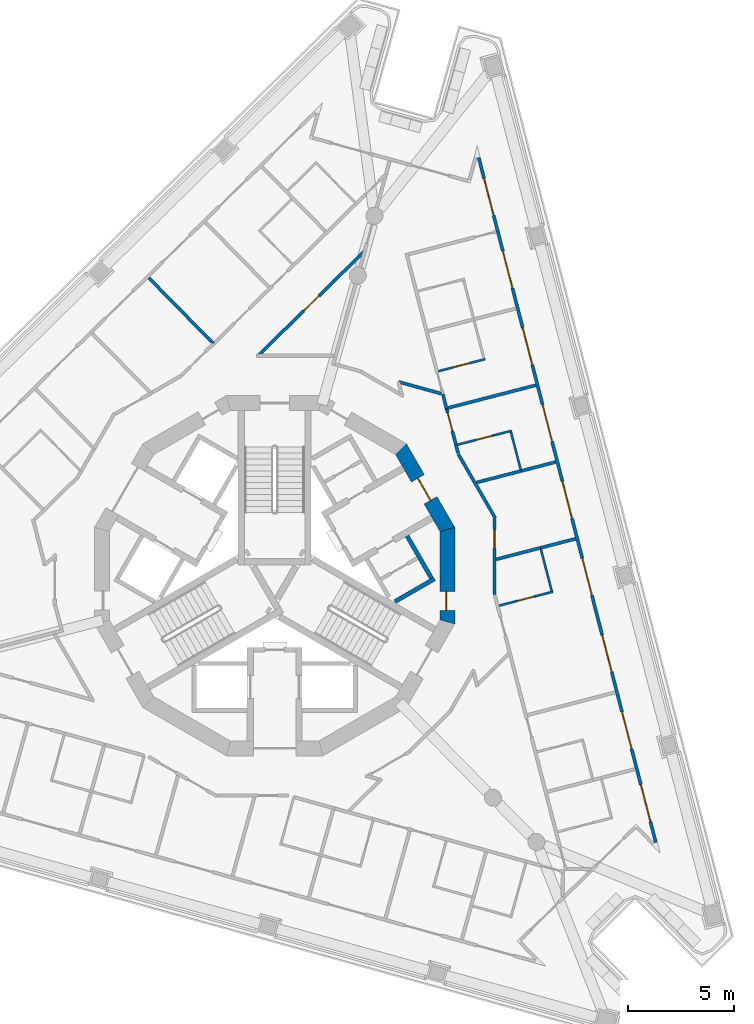
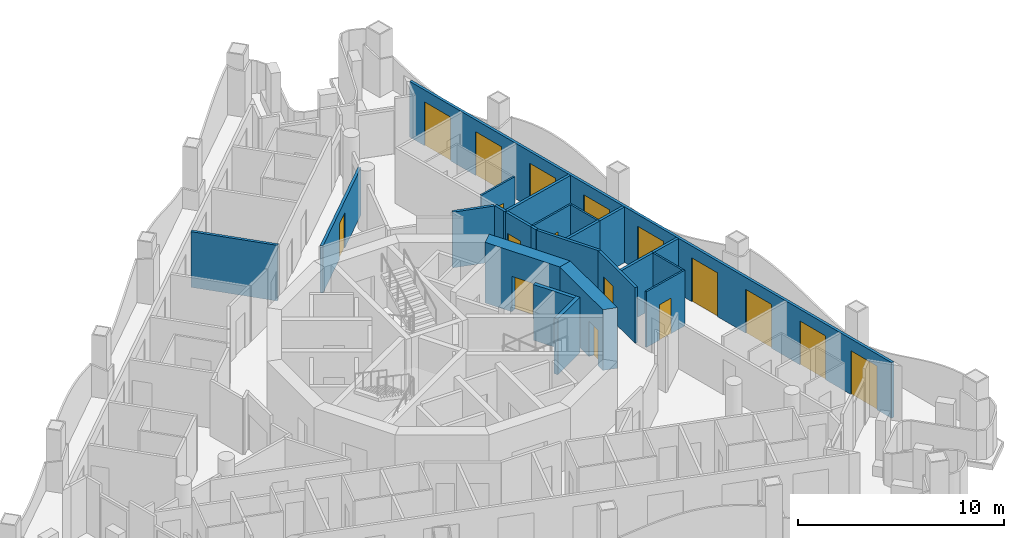
# One storey, part 7 of 15: 23 walls, 17 doors, 17 openings.
"""IFC4 building model written with IfcOpenShell, lengths in metres."""

from ifc_helpers import new_model, si_unit, direction, frame, frame_2d, origin, place, context, subcontext, project, spatial, polyline, rectangle, outline, extrude, material, layer, layer_set, type_object, element, fill, save


model = new_model("IFC4")

# Units and contexts
model_context = context("Model", 3, precision=1e-05, world=origin(), true_north=direction((0.0, 1.0)))
body_context = subcontext(model_context, "Body", "Model", "MODEL_VIEW")
ifc_project = project(units=[si_unit("LENGTHUNIT", "METRE"), si_unit("AREAUNIT", "SQUARE_METRE"), si_unit("VOLUMEUNIT", "CUBIC_METRE"), si_unit("PLANEANGLEUNIT", "RADIAN"), si_unit("MASSUNIT", "GRAM", prefix="KILO")], contexts=[model_context])

# Site, building, storey
site_placement = place(None, origin())
site = spatial("IfcSite", under=ifc_project, at=site_placement, CompositionType="ELEMENT")
building_placement = place(site_placement, origin())
building = spatial("IfcBuilding", under=site, at=building_placement, Name="Trine Commons Tower", CompositionType="ELEMENT")
storey_placement = place(building_placement, frame((0.0, 0.0, 256.5)))
storey = spatial("IfcBuildingStorey", under=building, at=storey_placement, Name="L67", CompositionType="ELEMENT", Elevation=256.5)

# Wall, openings, doors
ifc_material_1 = material(Name="Aluminium-framed insulated wall panel", Category="aluminium")
ifc_layer_1 = layer(ifc_material_1, 0.14990234375)
ifc_layer_set_1 = layer_set([ifc_layer_1], Name="Aluminium-framed insulated wall panel")
wall_type_1 = type_object("IfcWallType", Name="Glazed frame wall 150, EI 60", PredefinedType="SOLIDWALL", material=ifc_layer_set_1)
wall_1_placement = place(storey_placement, frame((89.59130859375, 82.377685546875, 0.0), z_axis=(0.0, 0.0, 1.0), x_axis=(0.250378839788, -0.968147941477, 0.0)))
wall_1 = element("IfcWall", 1, at=wall_1_placement, inside=storey, type_object=wall_type_1, Name="Glazed frame wall F2", PredefinedType="SOLIDWALL", context=body_context, shape_type="SweptSolid", body=[
    extrude(outline(polyline([(0.1494140625, 0.074951171875), (0.1494140625, -0.074951171875), (33.536865234375, -0.074951171875), (33.536865234375, 0.074951171875), (0.1494140625, 0.074951171875)])), origin(), (0.0, 0.0, 1.0), 3.300048828125),
])
opening_1_placement = place(wall_1_placement, frame((1.17138671875, 0.0, 0.0)))
opening_1 = element("IfcOpeningElement", 2, at=opening_1_placement, cuts=wall_1, Name="Opening BD-7F2-01", PredefinedType="OPENING", context=body_context, shape_type="SweptSolid", body=[
    extrude(rectangle(XDim=1.800048828125, YDim=2.60009765625, at=frame_2d((0.89990234375, 1.300048828125))), frame((0.0, 0.0849609375, 0.0), z_axis=(0.0, -1.0, 0.0), x_axis=(1.0, 0.0, 0.0)), (0.0, 0.0, 1.0), 0.169921875),
])
opening_2_placement = place(wall_1_placement, frame((4.71435546875, 0.0, 0.0)))
opening_2 = element("IfcOpeningElement", 3, at=opening_2_placement, cuts=wall_1, Name="Opening BD-7F2-02", PredefinedType="OPENING", context=body_context, shape_type="SweptSolid", body=[
    extrude(rectangle(XDim=1.800048828125, YDim=2.60009765625, at=frame_2d((0.89990234375, 1.300048828125))), frame((0.0, 0.0849609375, 0.0), z_axis=(0.0, -1.0, 0.0), x_axis=(1.0, 0.0, 0.0)), (0.0, 0.0, 1.0), 0.169921875),
])
opening_3_placement = place(wall_1_placement, frame((8.457275390625, 0.0, 0.0)))
opening_3 = element("IfcOpeningElement", 4, at=opening_3_placement, cuts=wall_1, Name="Opening BD-7F2-03", PredefinedType="OPENING", context=body_context, shape_type="SweptSolid", body=[
    extrude(rectangle(XDim=1.800048828125, YDim=2.60009765625, at=frame_2d((0.89990234375, 1.300048828125))), frame((0.0, 0.0849609375, 0.0), z_axis=(0.0, -1.0, 0.0), x_axis=(1.0, 0.0, 0.0)), (0.0, 0.0, 1.0), 0.169921875),
])
opening_4_placement = place(wall_1_placement, frame((12.2001953125, 0.0, 0.0)))
opening_4 = element("IfcOpeningElement", 5, at=opening_4_placement, cuts=wall_1, Name="Opening BD-7F2-04", PredefinedType="OPENING", context=body_context, shape_type="SweptSolid", body=[
    extrude(rectangle(XDim=1.800048828125, YDim=2.60009765625, at=frame_2d((0.89990234375, 1.300048828125))), frame((0.0, 0.0849609375, 0.0), z_axis=(0.0, -1.0, 0.0), x_axis=(1.0, 0.0, 0.0)), (0.0, 0.0, 1.0), 0.169921875),
])
opening_5_placement = place(wall_1_placement, frame((15.943115234375, 0.0, 0.0)))
opening_5 = element("IfcOpeningElement", 6, at=opening_5_placement, cuts=wall_1, Name="Opening BD-7F2-05", PredefinedType="OPENING", context=body_context, shape_type="SweptSolid", body=[
    extrude(rectangle(XDim=1.800048828125, YDim=2.60009765625, at=frame_2d((0.89990234375, 1.300048828125))), frame((0.0, 0.0849609375, 0.0), z_axis=(0.0, -1.0, 0.0), x_axis=(1.0, 0.0, 0.0)), (0.0, 0.0, 1.0), 0.169921875),
])
opening_6_placement = place(wall_1_placement, frame((19.68603515625, 0.0, 0.0)))
opening_6 = element("IfcOpeningElement", 7, at=opening_6_placement, cuts=wall_1, Name="Opening BD-7F2-06", PredefinedType="OPENING", context=body_context, shape_type="SweptSolid", body=[
    extrude(rectangle(XDim=1.800048828125, YDim=2.60009765625, at=frame_2d((0.89990234375, 1.300048828125))), frame((0.0, 0.0849609375, 0.0), z_axis=(0.0, -1.0, 0.0), x_axis=(1.0, 0.0, 0.0)), (0.0, 0.0, 1.0), 0.169921875),
])
opening_7_placement = place(wall_1_placement, frame((23.428955078125, 0.0, 0.0)))
opening_7 = element("IfcOpeningElement", 8, at=opening_7_placement, cuts=wall_1, Name="Opening BD-7F2-07", PredefinedType="OPENING", context=body_context, shape_type="SweptSolid", body=[
    extrude(rectangle(XDim=1.800048828125, YDim=2.60009765625, at=frame_2d((0.89990234375, 1.300048828125))), frame((0.0, 0.0849609375, 0.0), z_axis=(0.0, -1.0, 0.0), x_axis=(1.0, 0.0, 0.0)), (0.0, 0.0, 1.0), 0.169921875),
])
opening_8_placement = place(wall_1_placement, frame((27.171875, 0.0, 0.0)))
opening_8 = element("IfcOpeningElement", 9, at=opening_8_placement, cuts=wall_1, Name="Opening BD-7F2-08", PredefinedType="OPENING", context=body_context, shape_type="SweptSolid", body=[
    extrude(rectangle(XDim=1.800048828125, YDim=2.60009765625, at=frame_2d((0.89990234375, 1.300048828125))), frame((0.0, 0.0849609375, 0.0), z_axis=(0.0, -1.0, 0.0), x_axis=(1.0, 0.0, 0.0)), (0.0, 0.0, 1.0), 0.169921875),
])
opening_9_placement = place(wall_1_placement, frame((30.714599609375, 0.0, 0.0)))
opening_9 = element("IfcOpeningElement", 10, at=opening_9_placement, cuts=wall_1, Name="Opening BD-7F2-09", PredefinedType="OPENING", context=body_context, shape_type="SweptSolid", body=[
    extrude(rectangle(XDim=1.800048828125, YDim=2.60009765625, at=frame_2d((0.89990234375, 1.300048828125))), frame((0.0, 0.0849609375, 0.0), z_axis=(0.0, -1.0, 0.0), x_axis=(1.0, 0.0, 0.0)), (0.0, 0.0, 1.0), 0.169921875),
])
ifc_material_2 = material(Name="Anodised aluminium frame with double glazing", Category="aluminium")
door_type_1 = type_object("IfcDoorType", Name="Sliding loggia door 1800x2600", OperationType="SLIDING_TO_LEFT", PredefinedType="DOOR", material=ifc_material_2)
door_1_placement = place(opening_1_placement, origin())
door_1 = element("IfcDoor", 11, at=door_1_placement, inside=storey, type_object=door_type_1, Name="Loggia door F2 1", OperationType="SLIDING_TO_LEFT", OverallHeight=2.60009765625, OverallWidth=1.800048828125, PredefinedType="DOOR", context=body_context, shape_type="SweptSolid", body=[
    extrude(rectangle(XDim=1.800048828125, YDim=2.60009765625, at=frame_2d((0.89990234375, 1.300048828125))), frame((0.0, 0.02490234375, 0.0), z_axis=(0.0, -1.0, 0.0), x_axis=(1.0, 0.0, 0.0)), (0.0, 0.0, 1.0), 0.050048828125),
])
fill(opening_1, door_1)
door_2_placement = place(opening_2_placement, origin())
door_2 = element("IfcDoor", 12, at=door_2_placement, inside=storey, type_object=door_type_1, Name="Loggia door F2 2", OperationType="SLIDING_TO_LEFT", OverallHeight=2.60009765625, OverallWidth=1.800048828125, PredefinedType="DOOR", context=body_context, shape_type="SweptSolid", body=[
    extrude(rectangle(XDim=1.800048828125, YDim=2.60009765625, at=frame_2d((0.89990234375, 1.300048828125))), frame((0.0, 0.02490234375, 0.0), z_axis=(0.0, -1.0, 0.0), x_axis=(1.0, 0.0, 0.0)), (0.0, 0.0, 1.0), 0.050048828125),
])
fill(opening_2, door_2)
door_3_placement = place(opening_3_placement, origin())
door_3 = element("IfcDoor", 13, at=door_3_placement, inside=storey, type_object=door_type_1, Name="Loggia door F2 3", OperationType="SLIDING_TO_LEFT", OverallHeight=2.60009765625, OverallWidth=1.800048828125, PredefinedType="DOOR", context=body_context, shape_type="SweptSolid", body=[
    extrude(rectangle(XDim=1.800048828125, YDim=2.60009765625, at=frame_2d((0.89990234375, 1.300048828125))), frame((0.0, 0.02490234375, 0.0), z_axis=(0.0, -1.0, 0.0), x_axis=(1.0, 0.0, 0.0)), (0.0, 0.0, 1.0), 0.050048828125),
])
fill(opening_3, door_3)
door_4_placement = place(opening_4_placement, origin())
door_4 = element("IfcDoor", 14, at=door_4_placement, inside=storey, type_object=door_type_1, Name="Loggia door F2 4", OperationType="SLIDING_TO_LEFT", OverallHeight=2.60009765625, OverallWidth=1.800048828125, PredefinedType="DOOR", context=body_context, shape_type="SweptSolid", body=[
    extrude(rectangle(XDim=1.800048828125, YDim=2.60009765625, at=frame_2d((0.89990234375, 1.300048828125))), frame((0.0, 0.02490234375, 0.0), z_axis=(0.0, -1.0, 0.0), x_axis=(1.0, 0.0, 0.0)), (0.0, 0.0, 1.0), 0.050048828125),
])
fill(opening_4, door_4)
door_5_placement = place(opening_5_placement, origin())
door_5 = element("IfcDoor", 15, at=door_5_placement, inside=storey, type_object=door_type_1, Name="Loggia door F2 5", OperationType="SLIDING_TO_LEFT", OverallHeight=2.60009765625, OverallWidth=1.800048828125, PredefinedType="DOOR", context=body_context, shape_type="SweptSolid", body=[
    extrude(rectangle(XDim=1.800048828125, YDim=2.60009765625, at=frame_2d((0.89990234375, 1.300048828125))), frame((0.0, 0.02490234375, 0.0), z_axis=(0.0, -1.0, 0.0), x_axis=(1.0, 0.0, 0.0)), (0.0, 0.0, 1.0), 0.050048828125),
])
fill(opening_5, door_5)
door_6_placement = place(opening_6_placement, origin())
door_6 = element("IfcDoor", 16, at=door_6_placement, inside=storey, type_object=door_type_1, Name="Loggia door F2 6", OperationType="SLIDING_TO_LEFT", OverallHeight=2.60009765625, OverallWidth=1.800048828125, PredefinedType="DOOR", context=body_context, shape_type="SweptSolid", body=[
    extrude(rectangle(XDim=1.800048828125, YDim=2.60009765625, at=frame_2d((0.89990234375, 1.300048828125))), frame((0.0, 0.02490234375, 0.0), z_axis=(0.0, -1.0, 0.0), x_axis=(1.0, 0.0, 0.0)), (0.0, 0.0, 1.0), 0.050048828125),
])
fill(opening_6, door_6)
door_7_placement = place(opening_7_placement, origin())
door_7 = element("IfcDoor", 17, at=door_7_placement, inside=storey, type_object=door_type_1, Name="Loggia door F2 7", OperationType="SLIDING_TO_LEFT", OverallHeight=2.60009765625, OverallWidth=1.800048828125, PredefinedType="DOOR", context=body_context, shape_type="SweptSolid", body=[
    extrude(rectangle(XDim=1.800048828125, YDim=2.60009765625, at=frame_2d((0.89990234375, 1.300048828125))), frame((0.0, 0.02490234375, 0.0), z_axis=(0.0, -1.0, 0.0), x_axis=(1.0, 0.0, 0.0)), (0.0, 0.0, 1.0), 0.050048828125),
])
fill(opening_7, door_7)
door_8_placement = place(opening_8_placement, origin())
door_8 = element("IfcDoor", 18, at=door_8_placement, inside=storey, type_object=door_type_1, Name="Loggia door F2 8", OperationType="SLIDING_TO_LEFT", OverallHeight=2.60009765625, OverallWidth=1.800048828125, PredefinedType="DOOR", context=body_context, shape_type="SweptSolid", body=[
    extrude(rectangle(XDim=1.800048828125, YDim=2.60009765625, at=frame_2d((0.89990234375, 1.300048828125))), frame((0.0, 0.02490234375, 0.0), z_axis=(0.0, -1.0, 0.0), x_axis=(1.0, 0.0, 0.0)), (0.0, 0.0, 1.0), 0.050048828125),
])
fill(opening_8, door_8)
door_9_placement = place(opening_9_placement, origin())
door_9 = element("IfcDoor", 19, at=door_9_placement, inside=storey, type_object=door_type_1, Name="Loggia door F2 9", OperationType="SLIDING_TO_LEFT", OverallHeight=2.60009765625, OverallWidth=1.800048828125, PredefinedType="DOOR", context=body_context, shape_type="SweptSolid", body=[
    extrude(rectangle(XDim=1.800048828125, YDim=2.60009765625, at=frame_2d((0.89990234375, 1.300048828125))), frame((0.0, 0.02490234375, 0.0), z_axis=(0.0, -1.0, 0.0), x_axis=(1.0, 0.0, 0.0)), (0.0, 0.0, 1.0), 0.050048828125),
])
fill(opening_9, door_9)

# Wall, opening, door
ifc_material_3 = material(Name="Concrete C50/60", Category="concrete")
ifc_layer_2 = layer(ifc_material_3, 0.699951171875)
ifc_layer_set_2 = layer_set([ifc_layer_2], Name="Concrete C50/60")
wall_type_2 = type_object("IfcWallType", Name="RC shear wall 700 mm, C50/60", PredefinedType="SHEAR", material=ifc_layer_set_2)
wall_2_placement = place(storey_placement, frame((88.150146484375, 60.222412109375, 0.0), z_axis=(0.0, 0.0, 1.0), x_axis=(0.0, 1.0, 0.0)))
wall_2 = element("IfcWall", 20, at=wall_2_placement, inside=storey, type_object=wall_type_2, Name="Core wall CWG-01 L67", PredefinedType="SHEAR", context=body_context, shape_type="SweptSolid", body=[
    extrude(outline(polyline([(0.0, -0.35009765625), (4.55517578125, -0.35009765625), (4.36767578125, 0.35009765625), (0.1875, 0.35009765625), (0.0, -0.35009765625)])), origin(), (0.0, 0.0, 1.0), 3.60009765625),
])
opening_10_placement = place(wall_2_placement, frame((0.6416015625, 0.0, 0.0)))
opening_10 = element("IfcOpeningElement", 21, at=opening_10_placement, cuts=wall_2, Name="Opening K15.17", PredefinedType="OPENING", context=body_context, shape_type="SweptSolid", body=[
    extrude(rectangle(XDim=0.89990234375, YDim=2.10009765625, at=frame_2d((0.449951171875, 1.050048828125))), frame((0.0, 0.35986328125, 0.0), z_axis=(0.0, -1.0, 0.0), x_axis=(1.0, 0.0, 0.0)), (0.0, 0.0, 1.0), 0.719970703125),
])
ifc_material_4 = material(Name="Steel door leaf, fire-rated", Category="steel")
door_type_2 = type_object("IfcDoorType", Name="Core room door, single leaf 900 x 2100, FD30S", OperationType="SINGLE_SWING_LEFT", PredefinedType="DOOR", material=ifc_material_4)
door_10_placement = place(opening_10_placement, origin())
door_10 = element("IfcDoor", 22, at=door_10_placement, inside=storey, type_object=door_type_2, Name="Door to Core WC L67", OperationType="SINGLE_SWING_LEFT", OverallHeight=2.10009765625, OverallWidth=0.89990234375, PredefinedType="DOOR", context=body_context, shape_type="SweptSolid", body=[
    extrude(rectangle(XDim=0.89990234375, YDim=2.10009765625, at=frame_2d((0.449951171875, 1.050048828125))), frame((0.0, 0.0751953125, 0.0), z_axis=(0.0, -1.0, 0.0), x_axis=(1.0, 0.0, 0.0)), (0.0, 0.0, 1.0), 0.050048828125),
])
fill(opening_10, door_10)

wall_3_placement = place(storey_placement, frame((88.197021484375, 64.6025390625, 0.0), z_axis=(0.0, 0.0, 1.0), x_axis=(-0.499983800959, 0.866034756103, 0.0)))
wall_3 = element("IfcWall", 23, at=wall_3_placement, inside=storey, type_object=wall_type_2, Name="Core wall CWG-02 L67", PredefinedType="SHEAR", context=body_context, shape_type="SweptSolid", body=[
    extrude(outline(polyline([(0.0, -0.35009765625), (4.55517578125, -0.35009765625), (4.36767578125, 0.35009765625), (0.1875, 0.35009765625), (0.0, -0.35009765625)])), origin(), (0.0, 0.0, 1.0), 3.60009765625),
])
opening_11_placement = place(wall_3_placement, frame((1.677490234375, 0.0, 0.0)))
opening_11 = element("IfcOpeningElement", 24, at=opening_11_placement, cuts=wall_3, Name="Opening K15.04", PredefinedType="OPENING", context=body_context, shape_type="SweptSolid", body=[
    extrude(rectangle(XDim=1.199951171875, YDim=2.10009765625, at=frame_2d((0.60009765625, 1.050048828125))), frame((0.0, 0.35986328125, 0.0), z_axis=(0.0, -1.0, 0.0), x_axis=(1.0, 0.0, 0.0)), (0.0, 0.0, 1.0), 0.719970703125),
])
ifc_material_5 = material(Name="Steel door leaves, fire-rated", Category="steel")
door_type_3 = type_object("IfcDoorType", Name="Lobby door, double leaf 1200 x 2100, FD60", OperationType="DOUBLE_DOOR_SINGLE_SWING", PredefinedType="DOOR", material=ifc_material_5)
door_11_placement = place(opening_11_placement, origin())
door_11 = element("IfcDoor", 25, at=door_11_placement, inside=storey, type_object=door_type_3, Name="Lobby door, Core lounge L67", OperationType="DOUBLE_DOOR_SINGLE_SWING", OverallHeight=2.10009765625, OverallWidth=1.199951171875, PredefinedType="DOOR", context=body_context, shape_type="SweptSolid", body=[
    extrude(rectangle(XDim=1.199951171875, YDim=2.10009765625, at=frame_2d((0.60009765625, 1.050048828125))), frame((0.0, 0.02490234375, 0.0), z_axis=(0.0, -1.0, 0.0), x_axis=(1.0, 0.0, 0.0)), (0.0, 0.0, 1.0), 0.050048828125),
])
fill(opening_11, door_11)

# Walls
ifc_material_6 = material(Name="Fire-rated gypsum shaft wall system")
ifc_layer_3 = layer(ifc_material_6, 0.199951171875)
ifc_layer_set_3 = layer_set([ifc_layer_3], Name="Fire-rated gypsum shaft wall system")
wall_type_3 = type_object("IfcWallType", Name="Shaft wall 200 mm, EI 120", PredefinedType="PARTITIONING", material=ifc_layer_set_3)
wall_4_placement = place(storey_placement, frame((85.675048828125, 61.27392578125, 0.0), z_axis=(0.0, 0.0, 1.0), x_axis=(0.866102336459, 0.499866725018, 0.0)))
element("IfcWall", 26, at=wall_4_placement, inside=storey, type_object=wall_type_3, Name="Shaft wall L67", PredefinedType="PARTITIONING", context=body_context, shape_type="SweptSolid", body=[
    extrude(rectangle(XDim=2.1484375, YDim=0.199951171875, at=frame_2d((1.07421875, 0.0))), origin(), (0.0, 0.0, 1.0), 3.300048828125),
])
wall_5_placement = place(storey_placement, frame((86.2490234375, 64.3759765625, 0.0), z_axis=(0.0, 0.0, 1.0), x_axis=(0.500136062276, -0.86594683394, 0.0)))
element("IfcWall", 27, at=wall_5_placement, inside=storey, type_object=wall_type_3, Name="Shaft wall L67", PredefinedType="PARTITIONING", context=body_context, shape_type="SweptSolid", body=[
    extrude(rectangle(XDim=2.299072265625, YDim=0.199951171875, at=frame_2d((1.1494140625, 0.0))), origin(), (0.0, 0.0, 1.0), 3.300048828125),
])
ifc_material_7 = material(Name="Gypsum plasterboard on steel stud", Category="steel")
ifc_layer_4 = layer(ifc_material_7, 0.14990234375)
ifc_layer_set_4 = layer_set([ifc_layer_4], Name="Gypsum plasterboard on steel stud")
wall_type_4 = type_object("IfcWallType", Name="Unit and corridor wall 150 mm, EI 60", PredefinedType="PARTITIONING", material=ifc_layer_set_4)
wall_6_placement = place(storey_placement, frame((74.06005859375, 76.554443359375, 0.0), z_axis=(0.0, 0.0, 1.0), x_axis=(0.700948225768, -0.713212159734, 0.0)))
element("IfcWall", 28, at=wall_6_placement, inside=storey, type_object=wall_type_4, Name="Partition 044", PredefinedType="PARTITIONING", context=body_context, shape_type="SweptSolid", body=[
    extrude(rectangle(XDim=4.359619140625, YDim=0.14990234375, at=frame_2d((2.1796875, 0.0))), origin(), (0.0, 0.0, 1.0), 3.300048828125),
])

# Wall, opening, door
wall_7_placement = place(storey_placement, frame((79.265380859375, 72.927490234375, 0.0), z_axis=(0.0, 0.0, 1.0), x_axis=(0.713171352484, 0.700989744572, 0.0)))
wall_7 = element("IfcWall", 29, at=wall_7_placement, inside=storey, type_object=wall_type_4, Name="Partition 054", PredefinedType="PARTITIONING", context=body_context, shape_type="SweptSolid", body=[
    extrude(rectangle(XDim=6.914306640625, YDim=0.14990234375, at=frame_2d((3.45703125, 0.0))), origin(), (0.0, 0.0, 1.0), 2.800048828125),
])
opening_12_placement = place(wall_7_placement, frame((2.95703125, 0.0, 0.0)))
opening_12 = element("IfcOpeningElement", 30, at=opening_12_placement, cuts=wall_7, Name="Opening D-7C28", PredefinedType="OPENING", context=body_context, shape_type="SweptSolid", body=[
    extrude(rectangle(XDim=1.0, YDim=2.10009765625, at=frame_2d((0.5, 1.050048828125))), frame((0.0, 0.0849609375, 0.0), z_axis=(0.0, -1.0, 0.0), x_axis=(1.0, 0.0, 0.0)), (0.0, 0.0, 1.0), 0.169921875),
])
ifc_material_8 = material(Name="Painted timber", Category="wood")
door_type_4 = type_object("IfcDoorType", Name="Toilet door 1000 x 2100, NOT RATED", OperationType="NOTDEFINED", PredefinedType="DOOR", material=ifc_material_8)
door_12_placement = place(opening_12_placement, frame((1.0, 0.0, 0.0), z_axis=(0.0, 0.0, 1.0), x_axis=(-1.0, 0.0, 0.0)))
door_12 = element("IfcDoor", 31, at=door_12_placement, inside=storey, type_object=door_type_4, Name="Door D-7C28", OperationType="SINGLE_SWING_RIGHT", OverallHeight=2.10009765625, OverallWidth=1.0, PredefinedType="DOOR", context=body_context, shape_type="SweptSolid", body=[
    extrude(rectangle(XDim=1.0, YDim=2.10009765625, at=frame_2d((0.5, 1.050048828125))), frame((0.0, 0.02490234375, 0.0), z_axis=(0.0, -1.0, 0.0), x_axis=(1.0, 0.0, 0.0)), (0.0, 0.0, 1.0), 0.050048828125),
])
fill(opening_12, door_12)

# Walls
wall_8_placement = place(storey_placement, frame((85.85205078125, 71.64599609375, 0.0), z_axis=(0.0, 0.0, 1.0), x_axis=(0.963638385721, -0.267209770713, 0.0)))
element("IfcWall", 32, at=wall_8_placement, inside=storey, type_object=wall_type_4, Name="Partition 080", PredefinedType="PARTITIONING", context=body_context, shape_type="SweptSolid", body=[
    extrude(rectangle(XDim=2.088623046875, YDim=0.14990234375, at=frame_2d((1.04443359375, 0.0))), origin(), (0.0, 0.0, 1.0), 3.300048828125),
])
wall_9_placement = place(storey_placement, frame((87.93798828125, 71.06689453125, 0.0), z_axis=(0.0, 0.0, 1.0), x_axis=(0.250122032582, -0.968214319672, 0.0)))
element("IfcWall", 33, at=wall_9_placement, inside=storey, type_object=wall_type_4, Name="Partition 090", PredefinedType="PARTITIONING", context=body_context, shape_type="SweptSolid", body=[
    extrude(rectangle(XDim=0.696044921875, YDim=0.14990234375, at=frame_2d((0.34814453125, 0.0))), origin(), (0.0, 0.0, 1.0), 3.300048828125),
])
wall_10_placement = place(storey_placement, frame((88.036376953125, 70.377197265625, 0.0), z_axis=(0.0, 0.0, 1.0), x_axis=(0.968128504483, 0.25045398541, 0.0)))
element("IfcWall", 34, at=wall_10_placement, inside=storey, type_object=wall_type_4, Name="Partition 091", PredefinedType="PARTITIONING", context=body_context, shape_type="SweptSolid", body=[
    extrude(rectangle(XDim=4.435302734375, YDim=0.14990234375, at=frame_2d((2.2177734375, 0.0))), origin(), (0.0, 0.0, 1.0), 3.300048828125),
])

# Wall, opening, door
wall_11_placement = place(storey_placement, frame((88.12890625, 70.328369140625, 0.0), z_axis=(0.0, 0.0, 1.0), x_axis=(0.25028953049, -0.968171033923, 0.0)))
wall_11 = element("IfcWall", 35, at=wall_11_placement, inside=storey, type_object=wall_type_4, Name="Partition 092", PredefinedType="PARTITIONING", context=body_context, shape_type="SweptSolid", body=[
    extrude(rectangle(XDim=1.7763671875, YDim=0.14990234375, at=frame_2d((0.88818359375, 0.0))), origin(), (0.0, 0.0, 1.0), 3.300048828125),
])
opening_13_placement = place(wall_11_placement, frame((0.14990234375, 0.0, 0.0)))
opening_13 = element("IfcOpeningElement", 36, at=opening_13_placement, cuts=wall_11, Name="Opening D-7C13", PredefinedType="OPENING", context=body_context, shape_type="SweptSolid", body=[
    extrude(rectangle(XDim=0.89990234375, YDim=2.10009765625, at=frame_2d((0.449951171875, 1.050048828125))), frame((0.0, 0.0849609375, 0.0), z_axis=(0.0, -1.0, 0.0), x_axis=(1.0, 0.0, 0.0)), (0.0, 0.0, 1.0), 0.169921875),
])
ifc_material_9 = material(Name="Timber fire door set", Category="wood")
door_type_5 = type_object("IfcDoorType", Name="Bedroom door 900 x 2100, FD30S", OperationType="NOTDEFINED", PredefinedType="DOOR", material=ifc_material_9)
door_13_placement = place(opening_13_placement, origin())
door_13 = element("IfcDoor", 37, at=door_13_placement, inside=storey, type_object=door_type_5, Name="Door D-7C13", OperationType="SINGLE_SWING_LEFT", OverallHeight=2.10009765625, OverallWidth=0.89990234375, PredefinedType="DOOR", context=body_context, shape_type="SweptSolid", body=[
    extrude(rectangle(XDim=0.89990234375, YDim=2.10009765625, at=frame_2d((0.449951171875, 1.050048828125))), frame((0.0, 0.02490234375, 0.0), z_axis=(0.0, -1.0, 0.0), x_axis=(1.0, 0.0, 0.0)), (0.0, 0.0, 1.0), 0.050048828125),
])
fill(opening_13, door_13)

# Walls
wall_12_placement = place(storey_placement, frame((88.5576171875, 68.670654296875, 0.0), z_axis=(0.0, 0.0, 1.0), x_axis=(0.249564283258, -0.96835823357, 0.0)))
element("IfcWall", 38, at=wall_12_placement, inside=storey, type_object=wall_type_4, Name="Partition 095", PredefinedType="PARTITIONING", context=body_context, shape_type="SweptSolid", body=[
    extrude(rectangle(XDim=0.400146484375, YDim=0.14990234375, at=frame_2d((0.2001953125, 0.0))), origin(), (0.0, 0.0, 1.0), 3.300048828125),
])
wall_13_placement = place(storey_placement, frame((88.659912109375, 68.2490234375, 0.0), z_axis=(0.0, 0.0, 1.0), x_axis=(0.500223035479, -0.865896595891, 0.0)))
element("IfcWall", 39, at=wall_13_placement, inside=storey, type_object=wall_type_4, Name="Partition 096", PredefinedType="PARTITIONING", context=body_context, shape_type="SweptSolid", body=[
    extrude(rectangle(XDim=3.50390625, YDim=0.14990234375, at=frame_2d((1.751953125, 0.0))), origin(), (0.0, 0.0, 1.0), 3.300048828125),
])
wall_14_placement = place(storey_placement, frame((89.525634765625, 66.896728515625, 0.0), z_axis=(0.0, 0.0, 1.0), x_axis=(0.96820093058, 0.250173855596, 0.0)))
element("IfcWall", 40, at=wall_14_placement, inside=storey, type_object=wall_type_4, Name="Partition 105", PredefinedType="PARTITIONING", context=body_context, shape_type="SweptSolid", body=[
    extrude(rectangle(XDim=2.17138671875, YDim=0.14990234375, at=frame_2d((1.085693359375, 0.0))), origin(), (0.0, 0.0, 1.0), 3.300048828125),
])

# Wall, opening, door
wall_15_placement = place(storey_placement, frame((90.375, 61.616943359375, 0.0), z_axis=(0.0, 0.0, 1.0), x_axis=(0.0, 1.0, 0.0)))
wall_15 = element("IfcWall", 41, at=wall_15_placement, inside=storey, type_object=wall_type_4, Name="Partition 107", PredefinedType="PARTITIONING", context=body_context, shape_type="SweptSolid", body=[
    extrude(rectangle(XDim=3.588134765625, YDim=0.14990234375, at=frame_2d((1.7939453125, 0.0))), origin(), (0.0, 0.0, 1.0), 3.300048828125),
])
opening_14_placement = place(wall_15_placement, frame((2.160400390625, 0.0, 0.0)))
opening_14 = element("IfcOpeningElement", 42, at=opening_14_placement, cuts=wall_15, Name="Opening D-7C14", PredefinedType="OPENING", context=body_context, shape_type="SweptSolid", body=[
    extrude(rectangle(XDim=0.89990234375, YDim=2.10009765625, at=frame_2d((0.449951171875, 1.050048828125))), frame((0.0, 0.0849609375, 0.0), z_axis=(0.0, -1.0, 0.0), x_axis=(1.0, 0.0, 0.0)), (0.0, 0.0, 1.0), 0.169921875),
])
door_type_6 = type_object("IfcDoorType", Name="Service door 900 x 2100, FD30S", OperationType="NOTDEFINED", PredefinedType="DOOR", material=ifc_material_9)
door_14_placement = place(opening_14_placement, frame((0.89990234375, 0.0, 0.0), z_axis=(0.0, 0.0, 1.0), x_axis=(-1.0, 0.0, 0.0)))
door_14 = element("IfcDoor", 43, at=door_14_placement, inside=storey, type_object=door_type_6, Name="Door D-7C14", OperationType="SINGLE_SWING_LEFT", OverallHeight=2.10009765625, OverallWidth=0.89990234375, PredefinedType="DOOR", context=body_context, shape_type="SweptSolid", body=[
    extrude(rectangle(XDim=0.89990234375, YDim=2.10009765625, at=frame_2d((0.449951171875, 1.050048828125))), frame((0.0, 0.02490234375, 0.0), z_axis=(0.0, -1.0, 0.0), x_axis=(1.0, 0.0, 0.0)), (0.0, 0.0, 1.0), 0.050048828125),
])
fill(opening_14, door_14)

# Walls
wall_16_placement = place(storey_placement, frame((90.447509765625, 63.268798828125, 0.0), z_axis=(0.0, 0.0, 1.0), x_axis=(0.968046390525, 0.250771182139, 0.0)))
element("IfcWall", 44, at=wall_16_placement, inside=storey, type_object=wall_type_4, Name="Partition 108", PredefinedType="PARTITIONING", context=body_context, shape_type="SweptSolid", body=[
    extrude(rectangle(XDim=2.174072265625, YDim=0.14990234375, at=frame_2d((1.0869140625, 0.0))), origin(), (0.0, 0.0, 1.0), 3.300048828125),
])
wall_17_placement = place(storey_placement, frame((91.6279296875, 67.43994140625, 0.0), z_axis=(0.0, 0.0, 1.0), x_axis=(0.968134256409, 0.250431750318, 0.0)))
element("IfcWall", 45, at=wall_17_placement, inside=storey, type_object=wall_type_4, Name="Partition 113", PredefinedType="PARTITIONING", context=body_context, shape_type="SweptSolid", body=[
    extrude(rectangle(XDim=1.693359375, YDim=0.14990234375, at=frame_2d((0.8466796875, 0.0))), origin(), (0.0, 0.0, 1.0), 3.300048828125),
])
wall_18_placement = place(storey_placement, frame((92.544921875, 63.81201171875, 0.0), z_axis=(0.0, 0.0, 1.0), x_axis=(0.968176076017, 0.250270025829, 0.0)))
element("IfcWall", 46, at=wall_18_placement, inside=storey, type_object=wall_type_4, Name="Partition 117", PredefinedType="PARTITIONING", context=body_context, shape_type="SweptSolid", body=[
    extrude(rectangle(XDim=1.7138671875, YDim=0.14990234375, at=frame_2d((0.85693359375, 0.0))), origin(), (0.0, 0.0, 1.0), 3.300048828125),
])

# Wall, opening, door
ifc_layer_5 = layer(ifc_material_7, 0.10009765625)
ifc_layer_set_5 = layer_set([ifc_layer_5], Name="Gypsum plasterboard on steel stud")
wall_type_5 = type_object("IfcWallType", Name="Unit partition 100 mm, no rating", PredefinedType="PARTITIONING", material=ifc_layer_set_5)
wall_19_placement = place(storey_placement, frame((87.732666015625, 72.15087890625, 0.0), z_axis=(0.0, 0.0, 1.0), x_axis=(0.968154087165, 0.250355074856, 0.0)))
wall_19 = element("IfcWall", 47, at=wall_19_placement, inside=storey, type_object=wall_type_5, Name="Partition 089", PredefinedType="PARTITIONING", context=body_context, shape_type="SweptSolid", body=[
    extrude(rectangle(XDim=2.275146484375, YDim=0.10009765625, at=frame_2d((1.1376953125, 0.0))), origin(), (0.0, 0.0, 1.0), 3.300048828125),
])
opening_15_placement = place(wall_19_placement, frame((0.712646484375, 0.0, 0.0)))
opening_15 = element("IfcOpeningElement", 48, at=opening_15_placement, cuts=wall_19, Name="Opening D-7C34", PredefinedType="OPENING", context=body_context, shape_type="SweptSolid", body=[
    extrude(rectangle(XDim=0.800048828125, YDim=2.10009765625, at=frame_2d((0.39990234375, 1.050048828125))), frame((0.0, 0.06005859375, 0.0), z_axis=(0.0, -1.0, 0.0), x_axis=(1.0, 0.0, 0.0)), (0.0, 0.0, 1.0), 0.1201171875),
])
door_type_7 = type_object("IfcDoorType", Name="Internal door 800 x 2100, NOT RATED", OperationType="NOTDEFINED", PredefinedType="DOOR", material=ifc_material_8)
door_15_placement = place(opening_15_placement, frame((0.800048828125, 0.0, 0.0), z_axis=(0.0, 0.0, 1.0), x_axis=(-1.0, 0.0, 0.0)))
door_15 = element("IfcDoor", 49, at=door_15_placement, inside=storey, type_object=door_type_7, Name="Door D-7C34", OperationType="SINGLE_SWING_RIGHT", OverallHeight=2.10009765625, OverallWidth=0.800048828125, PredefinedType="DOOR", context=body_context, shape_type="SweptSolid", body=[
    extrude(rectangle(XDim=0.800048828125, YDim=2.10009765625, at=frame_2d((0.39990234375, 1.050048828125))), frame((0.0, 0.02490234375, 0.0), z_axis=(0.0, -1.0, 0.0), x_axis=(1.0, 0.0, 0.0)), (0.0, 0.0, 1.0), 0.050048828125),
])
fill(opening_15, door_15)

wall_20_placement = place(storey_placement, frame((88.630615234375, 68.6787109375, 0.0), z_axis=(0.0, 0.0, 1.0), x_axis=(0.968114849412, 0.250506763077, 0.0)))
wall_20 = element("IfcWall", 50, at=wall_20_placement, inside=storey, type_object=wall_type_5, Name="Partition 094", PredefinedType="PARTITIONING", context=body_context, shape_type="SweptSolid", body=[
    extrude(rectangle(XDim=2.64208984375, YDim=0.10009765625, at=frame_2d((1.321044921875, 0.0))), origin(), (0.0, 0.0, 1.0), 3.300048828125),
])
opening_16_placement = place(wall_20_placement, frame((0.89599609375, 0.0, 0.0)))
opening_16 = element("IfcOpeningElement", 51, at=opening_16_placement, cuts=wall_20, Name="Opening D-7C35", PredefinedType="OPENING", context=body_context, shape_type="SweptSolid", body=[
    extrude(rectangle(XDim=0.800048828125, YDim=2.10009765625, at=frame_2d((0.39990234375, 1.050048828125))), frame((0.0, 0.06005859375, 0.0), z_axis=(0.0, -1.0, 0.0), x_axis=(1.0, 0.0, 0.0)), (0.0, 0.0, 1.0), 0.1201171875),
])
door_16_placement = place(opening_16_placement, origin())
door_16 = element("IfcDoor", 52, at=door_16_placement, inside=storey, type_object=door_type_7, Name="Door D-7C35", OperationType="SINGLE_SWING_LEFT", OverallHeight=2.10009765625, OverallWidth=0.800048828125, PredefinedType="DOOR", context=body_context, shape_type="SweptSolid", body=[
    extrude(rectangle(XDim=0.800048828125, YDim=2.10009765625, at=frame_2d((0.39990234375, 1.050048828125))), frame((0.0, 0.02490234375, 0.0), z_axis=(0.0, -1.0, 0.0), x_axis=(1.0, 0.0, 0.0)), (0.0, 0.0, 1.0), 0.050048828125),
])
fill(opening_16, door_16)

wall_21_placement = place(storey_placement, frame((90.594482421875, 61.085693359375, 0.0), z_axis=(0.0, 0.0, 1.0), x_axis=(0.968118925751, 0.250491009025, 0.0)))
wall_21 = element("IfcWall", 53, at=wall_21_placement, inside=storey, type_object=wall_type_5, Name="Partition 110", PredefinedType="PARTITIONING", context=body_context, shape_type="SweptSolid", body=[
    extrude(rectangle(XDim=2.625732421875, YDim=0.10009765625, at=frame_2d((1.31298828125, 0.0))), origin(), (0.0, 0.0, 1.0), 3.300048828125),
])
opening_17_placement = place(wall_21_placement, frame((0.8876953125, 0.0, 0.0)))
opening_17 = element("IfcOpeningElement", 54, at=opening_17_placement, cuts=wall_21, Name="Opening D-7C36", PredefinedType="OPENING", context=body_context, shape_type="SweptSolid", body=[
    extrude(rectangle(XDim=0.800048828125, YDim=2.10009765625, at=frame_2d((0.39990234375, 1.050048828125))), frame((0.0, 0.06005859375, 0.0), z_axis=(0.0, -1.0, 0.0), x_axis=(1.0, 0.0, 0.0)), (0.0, 0.0, 1.0), 0.1201171875),
])
door_17_placement = place(opening_17_placement, frame((0.800048828125, 0.0, 0.0), z_axis=(0.0, 0.0, 1.0), x_axis=(-1.0, 0.0, 0.0)))
door_17 = element("IfcDoor", 55, at=door_17_placement, inside=storey, type_object=door_type_7, Name="Door D-7C36", OperationType="SINGLE_SWING_RIGHT", OverallHeight=2.10009765625, OverallWidth=0.800048828125, PredefinedType="DOOR", context=body_context, shape_type="SweptSolid", body=[
    extrude(rectangle(XDim=0.800048828125, YDim=2.10009765625, at=frame_2d((0.39990234375, 1.050048828125))), frame((0.0, 0.02490234375, 0.0), z_axis=(0.0, -1.0, 0.0), x_axis=(1.0, 0.0, 0.0)), (0.0, 0.0, 1.0), 0.050048828125),
])
fill(opening_17, door_17)

# Walls
wall_22_placement = place(storey_placement, frame((91.152587890625, 69.279541015625, 0.0), z_axis=(0.0, 0.0, 1.0), x_axis=(0.250177423801, -0.968200008583, 0.0)))
element("IfcWall", 56, at=wall_22_placement, inside=storey, type_object=wall_type_5, Name="Partition 111", PredefinedType="PARTITIONING", context=body_context, shape_type="SweptSolid", body=[
    extrude(rectangle(XDim=1.824951171875, YDim=0.10009765625, at=frame_2d((0.91259765625, 0.0))), origin(), (0.0, 0.0, 1.0), 3.300048828125),
])
wall_23_placement = place(storey_placement, frame((92.56787109375, 63.739501953125, 0.0), z_axis=(0.0, 0.0, 1.0), x_axis=(0.25066924096, -0.96807279253, 0.0)))
element("IfcWall", 57, at=wall_23_placement, inside=storey, type_object=wall_type_5, Name="Partition 118", PredefinedType="PARTITIONING", context=body_context, shape_type="SweptSolid", body=[
    extrude(rectangle(XDim=2.02490234375, YDim=0.10009765625, at=frame_2d((1.012451171875, 0.0))), origin(), (0.0, 0.0, 1.0), 3.300048828125),
])

save(model, "model.ifc")
